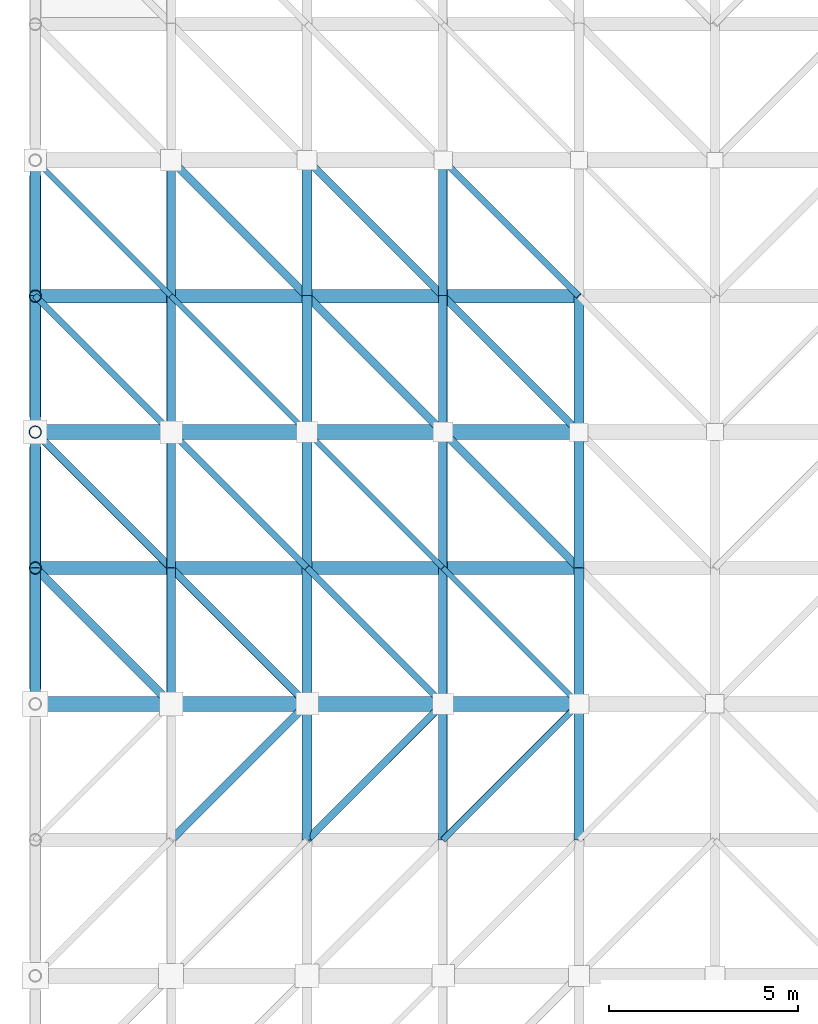
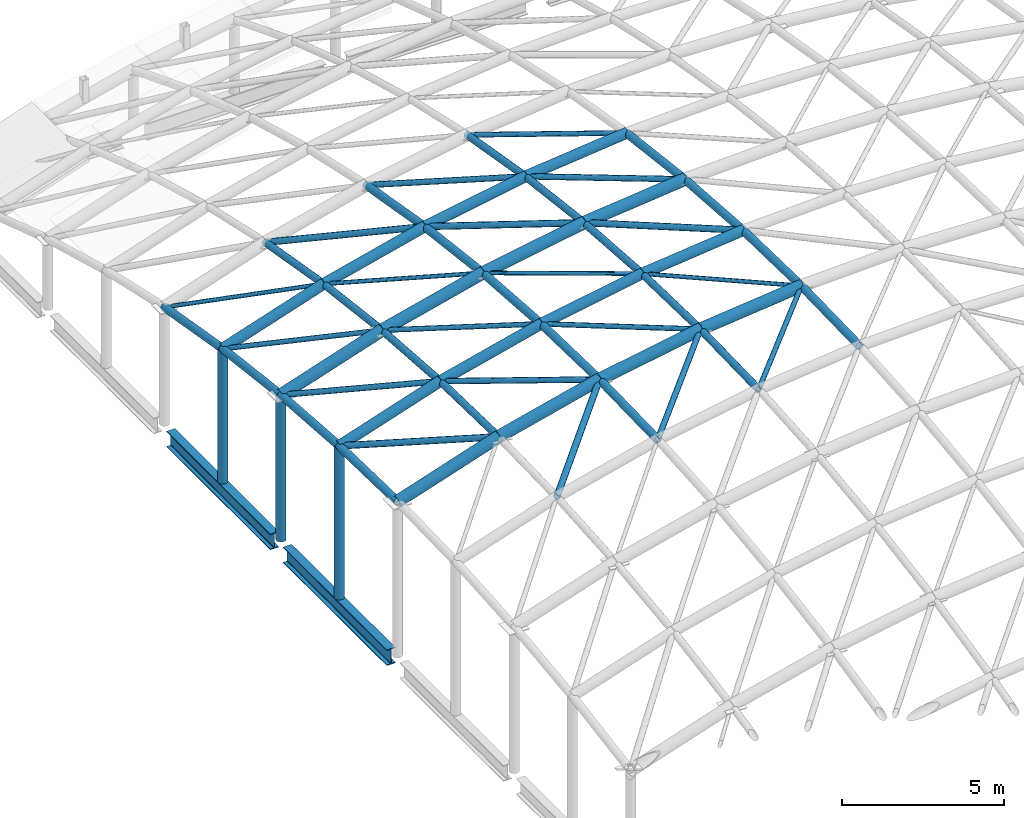
# One storey, part 6 of 40: 60 members, 2 beams.
"""IFC4 building model written with IfcOpenShell, lengths in metres."""

from ifc_helpers import new_model, si_unit, direction, frame, origin, origin_2d, place, context, subcontext, project, spatial, hollow_circle, i_section, extrude, material, material_profile, profile_set, type_object, element, save


model = new_model("IFC4")

# Units and contexts
model_context = context("Model", 3, precision=1e-05, world=origin(), true_north=direction((0.0, 1.0)))
body_context = subcontext(model_context, "Body", "Model", "MODEL_VIEW")
ifc_project = project(units=[si_unit("LENGTHUNIT", "METRE"), si_unit("AREAUNIT", "SQUARE_METRE"), si_unit("VOLUMEUNIT", "CUBIC_METRE"), si_unit("PLANEANGLEUNIT", "RADIAN"), si_unit("MASSUNIT", "GRAM", prefix="KILO")], contexts=[model_context])

# Site, building, storey
site_placement = place(None, origin())
site = spatial("IfcSite", under=ifc_project, at=site_placement, CompositionType="ELEMENT")
building_placement = place(site_placement, origin())
building = spatial("IfcBuilding", under=site, at=building_placement, Name="Kavelor Marine Aquarium", CompositionType="ELEMENT")
storey_placement = place(building_placement, frame((0.0, 0.0, 17.639892578125)))
storey = spatial("IfcBuildingStorey", under=building, at=storey_placement, Name="L04", CompositionType="ELEMENT", Elevation=17.639892578125)

# Beams
ifc_material_1 = material(Name="Steel S355", Category="steel")
ifc_material_profile_1 = material_profile(ifc_material_1, i_section(OverallWidth=0.300048828125, OverallDepth=0.60009765625, WebThickness=0.015380859375, FlangeThickness=0.030029296875, FilletRadius=0.027099609375, at=origin_2d()), Name="HEB 600")
ifc_profile_set_1 = profile_set([ifc_material_profile_1], Name="Steel S355")
beam_type = type_object("IfcBeamType", Name="BM-SB2", PredefinedType="BEAM", material=ifc_profile_set_1)
for number, where, z_axis, x_axis, name in (
    (1, (3.199951171875, 53.60009765625, -0.2998046875), (0.0, 1.0, 0.0), (-1.0, 0.0, 0.0), "bm:y:L04:L04:00_07"),
    (2, (3.199951171875, 60.800048828125, -0.2998046875), (0.0, 1.0, 0.0), (-1.0, 0.0, 0.0), "bm:y:L04:L04:00_08"),
):
    element("IfcBeam", number, at=place(storey_placement, frame(where, z_axis=z_axis, x_axis=x_axis)), inside=storey, type_object=beam_type, Name=name, PredefinedType="BEAM", context=body_context, shape_type="SweptSolid", body=[
        extrude(i_section(OverallWidth=0.300048828125, OverallDepth=0.60009765625, WebThickness=0.015380859375, FlangeThickness=0.030029296875, FilletRadius=0.027099609375, at=origin_2d()), origin(), (0.0, 0.0, 1.0), 6.39990234375),
    ])

# Members
ifc_material_2 = material(Name="Steel S355", Category="steel")
ifc_material_profile_2 = material_profile(ifc_material_2, hollow_circle(Radius=0.109619140625, WallThickness=0.0087890625, at=origin_2d()), Name="CHS 219.1x8.8")
ifc_profile_set_2 = profile_set([ifc_material_profile_2], Name="Steel S355")
member_type_1 = type_object("IfcMemberType", Name="GS-BR1", PredefinedType="BRACE", material=ifc_profile_set_2)
member_1_placement = place(storey_placement, frame((6.800048828125, 53.199951171875, 6.966552734375), z_axis=(-0.686145025307, 0.686145025307, -0.241681626302), x_axis=(-0.707106781187, -0.707106781187, 0.0)))
element("IfcMember", 3, at=member_1_placement, inside=storey, type_object=member_type_1, Name="gs:diag:00_08", PredefinedType="BRACE", context=body_context, shape_type="SweptSolid", body=[
    extrude(hollow_circle(Radius=0.109619140625, WallThickness=0.0087890625, at=origin_2d()), origin(), (0.0, 0.0, 1.0), 5.246826171875),
])
member_2_placement = place(storey_placement, frame((6.800048828125, 49.60009765625, 6.879638671875), z_axis=(0.69419201262, 0.69419201262, 0.190249570905), x_axis=(-0.707106781187, 0.707106781187, 0.0)))
element("IfcMember", 4, at=member_2_placement, inside=storey, type_object=member_type_1, Name="gs:diag:01_07", PredefinedType="BRACE", context=body_context, shape_type="SweptSolid", body=[
    extrude(hollow_circle(Radius=0.109619140625, WallThickness=0.0087890625, at=origin_2d()), origin(), (0.0, 0.0, 1.0), 5.185791015625),
])
member_3_placement = place(storey_placement, frame((10.39990234375, 64.0, 7.080078125), z_axis=(-0.677636847276, 0.677682804336, -0.285577169818), x_axis=(-0.707130757816, -0.707082803744, 0.0)))
element("IfcMember", 5, at=member_3_placement, inside=storey, type_object=member_type_1, Name="gs:diag:01_11", PredefinedType="BRACE", context=body_context, shape_type="SweptSolid", body=[
    extrude(hollow_circle(Radius=0.109619140625, WallThickness=0.0087890625, at=origin_2d()), origin(), (0.0, 0.0, 1.0), 5.312255859375),
])
member_4_placement = place(storey_placement, frame((14.0, 60.39990234375, 8.15087890625), z_axis=(-0.691968034363, 0.691968034363, -0.205816614588), x_axis=(-0.707106781187, -0.707106781187, 0.0)))
element("IfcMember", 6, at=member_4_placement, inside=storey, type_object=member_type_1, Name="gs:diag:02_10", PredefinedType="BRACE", context=body_context, shape_type="SweptSolid", body=[
    extrude(hollow_circle(Radius=0.109619140625, WallThickness=0.0087890625, at=origin_2d()), origin(), (0.0, 0.0, 1.0), 5.20263671875),
])
member_5_placement = place(storey_placement, frame((17.60009765625, 56.800048828125, 8.788330078125), z_axis=(-0.701652222636, 0.70160464009, -0.124238027486), x_axis=(-0.707082803744, -0.707130757816, 0.0)))
element("IfcMember", 7, at=member_5_placement, inside=storey, type_object=member_type_1, Name="gs:diag:03_09", PredefinedType="BRACE", context=body_context, shape_type="SweptSolid", body=[
    extrude(hollow_circle(Radius=0.109619140625, WallThickness=0.0087890625, at=origin_2d()), origin(), (0.0, 0.0, 1.0), 5.130859375),
])
ifc_material_3 = material(Name="Steel S355", Category="steel")
ifc_material_profile_3 = material_profile(ifc_material_3, hollow_circle(Radius=0.096923828125, WallThickness=0.008056640625, at=origin_2d()), Name="CHS 193.7x8.0")
ifc_profile_set_3 = profile_set([ifc_material_profile_3], Name="Steel S355")
member_type_2 = type_object("IfcMemberType", Name="GS-BR2", PredefinedType="BRACE", material=ifc_profile_set_3)
member_6_placement = place(storey_placement, frame((6.800048828125, 56.800048828125, 6.879638671875), z_axis=(-0.680344532518, 0.680298394953, -0.272626871195), x_axis=(-0.707082803744, -0.707130757816, 0.0)))
element("IfcMember", 8, at=member_6_placement, inside=storey, type_object=member_type_2, Name="gs:diag:00_09", PredefinedType="BRACE", context=body_context, shape_type="SweptSolid", body=[
    extrude(hollow_circle(Radius=0.096923828125, WallThickness=0.008056640625, at=origin_2d()), origin(), (0.0, 0.0, 1.0), 5.29150390625),
])
member_7_placement = place(storey_placement, frame((10.39990234375, 53.199951171875, 7.8662109375), z_axis=(-0.694169325075, 0.694216403361, -0.190243353179), x_axis=(-0.707130757816, -0.707082803744, 0.0)))
element("IfcMember", 9, at=member_7_placement, inside=storey, type_object=member_type_2, Name="gs:diag:01_08", PredefinedType="BRACE", context=body_context, shape_type="SweptSolid", body=[
    extrude(hollow_circle(Radius=0.096923828125, WallThickness=0.008056640625, at=origin_2d()), origin(), (0.0, 0.0, 1.0), 5.185791015625),
])
member_8_placement = place(storey_placement, frame((10.39990234375, 49.60009765625, 7.779296875), z_axis=(0.700164247937, 0.700116766298, 0.14002335326), x_axis=(-0.707082803744, 0.707130757816, 0.0)))
element("IfcMember", 10, at=member_8_placement, inside=storey, type_object=member_type_2, Name="gs:diag:02_07", PredefinedType="BRACE", context=body_context, shape_type="SweptSolid", body=[
    extrude(hollow_circle(Radius=0.096923828125, WallThickness=0.008056640625, at=origin_2d()), origin(), (0.0, 0.0, 1.0), 5.141845703125),
])
member_9_placement = place(storey_placement, frame((14.0, 64.0, 7.713134765625), z_axis=(-0.686705031493, 0.686705031493, -0.238479348045), x_axis=(-0.707106781187, -0.707106781187, 0.0)))
element("IfcMember", 11, at=member_9_placement, inside=storey, type_object=member_type_2, Name="gs:diag:02_11", PredefinedType="BRACE", context=body_context, shape_type="SweptSolid", body=[
    extrude(hollow_circle(Radius=0.096923828125, WallThickness=0.008056640625, at=origin_2d()), origin(), (0.0, 0.0, 1.0), 5.24267578125),
])
member_10_placement = place(storey_placement, frame((17.60009765625, 60.39990234375, 8.52685546875), z_axis=(-0.698244964544, 0.698244964544, -0.157822491986), x_axis=(-0.707106781187, -0.707106781187, 0.0)))
element("IfcMember", 12, at=member_10_placement, inside=storey, type_object=member_type_2, Name="gs:diag:03_10", PredefinedType="BRACE", context=body_context, shape_type="SweptSolid", body=[
    extrude(hollow_circle(Radius=0.096923828125, WallThickness=0.008056640625, at=origin_2d()), origin(), (0.0, 0.0, 1.0), 5.156005859375),
])
ifc_material_4 = material(Name="Steel S355", Category="steel")
ifc_material_profile_4 = material_profile(ifc_material_4, hollow_circle(Radius=0.084228515625, WallThickness=0.007080078125, at=origin_2d()), Name="CHS 168.3x7.1")
ifc_profile_set_4 = profile_set([ifc_material_profile_4], Name="Steel S355")
member_type_3 = type_object("IfcMemberType", Name="GS-BR3", PredefinedType="BRACE", material=ifc_profile_set_4)
member_11_placement = place(storey_placement, frame((6.800048828125, 60.39990234375, 6.6181640625), z_axis=(-0.673860988833, 0.673860988833, -0.303022664923), x_axis=(-0.707106781187, -0.707106781187, 0.0)))
element("IfcMember", 13, at=member_11_placement, inside=storey, type_object=member_type_3, Name="gs:diag:00_10", PredefinedType="BRACE", context=body_context, shape_type="SweptSolid", body=[
    extrude(hollow_circle(Radius=0.084228515625, WallThickness=0.007080078125, at=origin_2d()), origin(), (0.0, 0.0, 1.0), 5.342529296875),
])
member_12_placement = place(storey_placement, frame((10.39990234375, 56.800048828125, 7.779296875), z_axis=(-0.689402981739, 0.689402981739, -0.222366943449), x_axis=(-0.707106781187, -0.707106781187, 0.0)))
element("IfcMember", 14, at=member_12_placement, inside=storey, type_object=member_type_3, Name="gs:diag:01_09", PredefinedType="BRACE", context=body_context, shape_type="SweptSolid", body=[
    extrude(hollow_circle(Radius=0.084228515625, WallThickness=0.007080078125, at=origin_2d()), origin(), (0.0, 0.0, 1.0), 5.2216796875),
])
member_13_placement = place(storey_placement, frame((14.0, 53.199951171875, 8.499267578125), z_axis=(-0.700140972965, 0.700140972965, -0.140018698581), x_axis=(-0.707106781187, -0.707106781187, 0.0)))
element("IfcMember", 15, at=member_13_placement, inside=storey, type_object=member_type_3, Name="gs:diag:02_08", PredefinedType="BRACE", context=body_context, shape_type="SweptSolid", body=[
    extrude(hollow_circle(Radius=0.084228515625, WallThickness=0.007080078125, at=origin_2d()), origin(), (0.0, 0.0, 1.0), 5.141845703125),
])
member_14_placement = place(storey_placement, frame((14.0, 49.60009765625, 8.412353515625), z_axis=(0.704225966517, 0.704178209432, 0.090547432017), x_axis=(-0.707082803744, 0.707130757816, 0.0)))
element("IfcMember", 16, at=member_14_placement, inside=storey, type_object=member_type_3, Name="gs:diag:03_07", PredefinedType="BRACE", context=body_context, shape_type="SweptSolid", body=[
    extrude(hollow_circle(Radius=0.084228515625, WallThickness=0.007080078125, at=origin_2d()), origin(), (0.0, 0.0, 1.0), 5.112060546875),
])
member_15_placement = place(storey_placement, frame((17.60009765625, 64.0, 8.089111328125), z_axis=(-0.694019102695, 0.694019102695, -0.191507102188), x_axis=(-0.707106781187, -0.707106781187, 0.0)))
element("IfcMember", 17, at=member_15_placement, inside=storey, type_object=member_type_3, Name="gs:diag:03_11", PredefinedType="BRACE", context=body_context, shape_type="SweptSolid", body=[
    extrude(hollow_circle(Radius=0.084228515625, WallThickness=0.007080078125, at=origin_2d()), origin(), (0.0, 0.0, 1.0), 5.187255859375),
])
ifc_material_5 = material(Name="Steel S355", Category="steel")
ifc_material_profile_5 = material_profile(ifc_material_5, hollow_circle(Radius=0.06982421875, WallThickness=0.00634765625, at=origin_2d()), Name="CHS 139.7x6.3")
ifc_profile_set_5 = profile_set([ifc_material_profile_5], Name="Steel S355")
member_type_4 = type_object("IfcMemberType", Name="GS-BR4", PredefinedType="BRACE", material=ifc_profile_set_5)
member_16_placement = place(storey_placement, frame((6.800048828125, 64.0, 6.180419921875), z_axis=(-0.66672693031, 0.66672693031, -0.333092180632), x_axis=(-0.707106781187, -0.707106781187, 0.0)))
element("IfcMember", 18, at=member_16_placement, inside=storey, type_object=member_type_4, Name="gs:diag:00_11", PredefinedType="BRACE", context=body_context, shape_type="SweptSolid", body=[
    extrude(hollow_circle(Radius=0.06982421875, WallThickness=0.00634765625, at=origin_2d()), origin(), (0.0, 0.0, 1.0), 5.399658203125),
])
member_17_placement = place(storey_placement, frame((10.39990234375, 60.39990234375, 7.517822265625), z_axis=(-0.683880057148, 0.68392643762, -0.25407222469), x_axis=(-0.707130757816, -0.707082803744, 0.0)))
element("IfcMember", 19, at=member_17_placement, inside=storey, type_object=member_type_4, Name="gs:diag:01_10", PredefinedType="BRACE", context=body_context, shape_type="SweptSolid", body=[
    extrude(hollow_circle(Radius=0.06982421875, WallThickness=0.00634765625, at=origin_2d()), origin(), (0.0, 0.0, 1.0), 5.263916015625),
])
member_18_placement = place(storey_placement, frame((14.0, 56.800048828125, 8.412353515625), z_axis=(-0.696461956709, 0.696414726141, -0.173052801396), x_axis=(-0.707082803744, -0.707130757816, 0.0)))
element("IfcMember", 20, at=member_18_placement, inside=storey, type_object=member_type_4, Name="gs:diag:02_09", PredefinedType="BRACE", context=body_context, shape_type="SweptSolid", body=[
    extrude(hollow_circle(Radius=0.06982421875, WallThickness=0.00634765625, at=origin_2d()), origin(), (0.0, 0.0, 1.0), 5.169189453125),
])
member_19_placement = place(storey_placement, frame((17.60009765625, 53.199951171875, 8.875244140625), z_axis=(-0.704202284142, 0.704202284142, -0.090544387002), x_axis=(-0.707106781187, -0.707106781187, 0.0)))
element("IfcMember", 21, at=member_19_placement, inside=storey, type_object=member_type_4, Name="gs:diag:03_08", PredefinedType="BRACE", context=body_context, shape_type="SweptSolid", body=[
    extrude(hollow_circle(Radius=0.06982421875, WallThickness=0.00634765625, at=origin_2d()), origin(), (0.0, 0.0, 1.0), 5.1123046875),
])
ifc_material_6 = material(Name="Steel S355", Category="steel")
ifc_material_profile_6 = material_profile(ifc_material_6, hollow_circle(Radius=0.203125, WallThickness=0.01611328125, at=origin_2d()), Name="CHS 406.4x16.0")
ifc_profile_set_6 = profile_set([ifc_material_profile_6], Name="Steel S355")
member_type_5 = type_object("IfcMemberType", Name="GS-CH1", PredefinedType="CHORD", material=ifc_profile_set_6)
member_20_placement = place(storey_placement, frame((3.199951171875, 53.199951171875, 5.785400390625), z_axis=(0.950167603973, 0.0, 0.311739513632), x_axis=(0.0, 1.0, 0.0)))
element("IfcMember", 22, at=member_20_placement, inside=storey, type_object=member_type_5, Name="gs:arch:00_08", PredefinedType="CHORD", context=body_context, shape_type="SweptSolid", body=[
    extrude(hollow_circle(Radius=0.203125, WallThickness=0.01611328125, at=origin_2d()), origin(), (0.0, 0.0, 1.0), 3.788818359375),
])
member_21_placement = place(storey_placement, frame((6.800048828125, 53.199951171875, 6.966552734375), z_axis=(0.970161848818, 0.0, 0.242458217219), x_axis=(0.0, 1.0, 0.0)))
element("IfcMember", 23, at=member_21_placement, inside=storey, type_object=member_type_5, Name="gs:arch:01_08", PredefinedType="CHORD", context=body_context, shape_type="SweptSolid", body=[
    extrude(hollow_circle(Radius=0.203125, WallThickness=0.01611328125, at=origin_2d()), origin(), (0.0, 0.0, 1.0), 3.71044921875),
])
member_22_placement = place(storey_placement, frame((10.39990234375, 53.199951171875, 7.8662109375), z_axis=(0.984888941579, 0.0, 0.173187103317), x_axis=(0.0, 1.0, 0.0)))
element("IfcMember", 24, at=member_22_placement, inside=storey, type_object=member_type_5, Name="gs:arch:02_08", PredefinedType="CHORD", context=body_context, shape_type="SweptSolid", body=[
    extrude(hollow_circle(Radius=0.203125, WallThickness=0.01611328125, at=origin_2d()), origin(), (0.0, 0.0, 1.0), 3.6552734375),
])
member_23_placement = place(storey_placement, frame((14.0, 53.199951171875, 8.499267578125), z_axis=(0.994590861685, 0.0, 0.103870197138), x_axis=(0.0, 1.0, 0.0)))
element("IfcMember", 25, at=member_23_placement, inside=storey, type_object=member_type_5, Name="gs:arch:03_08", PredefinedType="CHORD", context=body_context, shape_type="SweptSolid", body=[
    extrude(hollow_circle(Radius=0.203125, WallThickness=0.01611328125, at=origin_2d()), origin(), (0.0, 0.0, 1.0), 3.61962890625),
])
member_24_placement = place(storey_placement, frame((3.199951171875, 60.39990234375, 5.43701171875), z_axis=(0.950167603973, 0.0, 0.311739513632), x_axis=(0.0, 1.0, 0.0)))
element("IfcMember", 26, at=member_24_placement, inside=storey, type_object=member_type_5, Name="gs:arch:00_10", PredefinedType="CHORD", context=body_context, shape_type="SweptSolid", body=[
    extrude(hollow_circle(Radius=0.203125, WallThickness=0.01611328125, at=origin_2d()), origin(), (0.0, 0.0, 1.0), 3.788818359375),
])
member_25_placement = place(storey_placement, frame((6.800048828125, 60.39990234375, 6.6181640625), z_axis=(0.970161848818, 0.0, 0.242458217219), x_axis=(0.0, 1.0, 0.0)))
element("IfcMember", 27, at=member_25_placement, inside=storey, type_object=member_type_5, Name="gs:arch:01_10", PredefinedType="CHORD", context=body_context, shape_type="SweptSolid", body=[
    extrude(hollow_circle(Radius=0.203125, WallThickness=0.01611328125, at=origin_2d()), origin(), (0.0, 0.0, 1.0), 3.71044921875),
])
member_26_placement = place(storey_placement, frame((10.39990234375, 60.39990234375, 7.517822265625), z_axis=(0.984888941579, 0.0, 0.173187103317), x_axis=(0.0, 1.0, 0.0)))
element("IfcMember", 28, at=member_26_placement, inside=storey, type_object=member_type_5, Name="gs:arch:02_10", PredefinedType="CHORD", context=body_context, shape_type="SweptSolid", body=[
    extrude(hollow_circle(Radius=0.203125, WallThickness=0.01611328125, at=origin_2d()), origin(), (0.0, 0.0, 1.0), 3.6552734375),
])
member_27_placement = place(storey_placement, frame((14.0, 60.39990234375, 8.15087890625), z_axis=(0.994590861685, 0.0, 0.103870197138), x_axis=(0.0, 1.0, 0.0)))
element("IfcMember", 29, at=member_27_placement, inside=storey, type_object=member_type_5, Name="gs:arch:03_10", PredefinedType="CHORD", context=body_context, shape_type="SweptSolid", body=[
    extrude(hollow_circle(Radius=0.203125, WallThickness=0.01611328125, at=origin_2d()), origin(), (0.0, 0.0, 1.0), 3.61962890625),
])
ifc_material_7 = material(Name="Steel S355", Category="steel")
ifc_material_profile_7 = material_profile(ifc_material_7, hollow_circle(Radius=0.177734375, WallThickness=0.01416015625, at=origin_2d()), Name="CHS 355.6x14.2")
ifc_profile_set_7 = profile_set([ifc_material_profile_7], Name="Steel S355")
member_type_6 = type_object("IfcMemberType", Name="GS-CH2", PredefinedType="CHORD", material=ifc_profile_set_7)
member_28_placement = place(storey_placement, frame((3.199951171875, 56.800048828125, 5.698486328125), z_axis=(0.950167603973, 0.0, 0.311739513632), x_axis=(0.0, 1.0, 0.0)))
element("IfcMember", 30, at=member_28_placement, inside=storey, type_object=member_type_6, Name="gs:arch:00_09", PredefinedType="CHORD", context=body_context, shape_type="SweptSolid", body=[
    extrude(hollow_circle(Radius=0.177734375, WallThickness=0.01416015625, at=origin_2d()), origin(), (0.0, 0.0, 1.0), 3.788818359375),
])
member_29_placement = place(storey_placement, frame((6.800048828125, 56.800048828125, 6.879638671875), z_axis=(0.970161848818, 0.0, 0.242458217219), x_axis=(0.0, 1.0, 0.0)))
element("IfcMember", 31, at=member_29_placement, inside=storey, type_object=member_type_6, Name="gs:arch:01_09", PredefinedType="CHORD", context=body_context, shape_type="SweptSolid", body=[
    extrude(hollow_circle(Radius=0.177734375, WallThickness=0.01416015625, at=origin_2d()), origin(), (0.0, 0.0, 1.0), 3.71044921875),
])
member_30_placement = place(storey_placement, frame((10.39990234375, 56.800048828125, 7.779296875), z_axis=(0.984888941579, 0.0, 0.173187103317), x_axis=(0.0, 1.0, 0.0)))
element("IfcMember", 32, at=member_30_placement, inside=storey, type_object=member_type_6, Name="gs:arch:02_09", PredefinedType="CHORD", context=body_context, shape_type="SweptSolid", body=[
    extrude(hollow_circle(Radius=0.177734375, WallThickness=0.01416015625, at=origin_2d()), origin(), (0.0, 0.0, 1.0), 3.6552734375),
])
member_31_placement = place(storey_placement, frame((14.0, 56.800048828125, 8.412353515625), z_axis=(0.994590861685, 0.0, 0.103870197138), x_axis=(0.0, 1.0, 0.0)))
element("IfcMember", 33, at=member_31_placement, inside=storey, type_object=member_type_6, Name="gs:arch:03_09", PredefinedType="CHORD", context=body_context, shape_type="SweptSolid", body=[
    extrude(hollow_circle(Radius=0.177734375, WallThickness=0.01416015625, at=origin_2d()), origin(), (0.0, 0.0, 1.0), 3.61962890625),
])
member_32_placement = place(storey_placement, frame((3.199951171875, 64.0, 4.999267578125), z_axis=(0.950167603973, 0.0, 0.311739513632), x_axis=(0.0, 1.0, 0.0)))
element("IfcMember", 34, at=member_32_placement, inside=storey, type_object=member_type_6, Name="gs:arch:00_11", PredefinedType="CHORD", context=body_context, shape_type="SweptSolid", body=[
    extrude(hollow_circle(Radius=0.177734375, WallThickness=0.01416015625, at=origin_2d()), origin(), (0.0, 0.0, 1.0), 3.788818359375),
])
member_33_placement = place(storey_placement, frame((6.800048828125, 64.0, 6.180419921875), z_axis=(0.970161848818, 0.0, 0.242458217219), x_axis=(0.0, 1.0, 0.0)))
element("IfcMember", 35, at=member_33_placement, inside=storey, type_object=member_type_6, Name="gs:arch:01_11", PredefinedType="CHORD", context=body_context, shape_type="SweptSolid", body=[
    extrude(hollow_circle(Radius=0.177734375, WallThickness=0.01416015625, at=origin_2d()), origin(), (0.0, 0.0, 1.0), 3.71044921875),
])
member_34_placement = place(storey_placement, frame((10.39990234375, 64.0, 7.080078125), z_axis=(0.984888941579, 0.0, 0.173187103317), x_axis=(0.0, 1.0, 0.0)))
element("IfcMember", 36, at=member_34_placement, inside=storey, type_object=member_type_6, Name="gs:arch:02_11", PredefinedType="CHORD", context=body_context, shape_type="SweptSolid", body=[
    extrude(hollow_circle(Radius=0.177734375, WallThickness=0.01416015625, at=origin_2d()), origin(), (0.0, 0.0, 1.0), 3.6552734375),
])
member_35_placement = place(storey_placement, frame((14.0, 64.0, 7.713134765625), z_axis=(0.994590861685, 0.0, 0.103870197138), x_axis=(0.0, 1.0, 0.0)))
element("IfcMember", 37, at=member_35_placement, inside=storey, type_object=member_type_6, Name="gs:arch:03_11", PredefinedType="CHORD", context=body_context, shape_type="SweptSolid", body=[
    extrude(hollow_circle(Radius=0.177734375, WallThickness=0.01416015625, at=origin_2d()), origin(), (0.0, 0.0, 1.0), 3.61962890625),
])
ifc_material_8 = material(Name="Steel S355", Category="steel")
ifc_material_profile_8 = material_profile(ifc_material_8, hollow_circle(Radius=0.161865234375, WallThickness=0.012451171875, at=origin_2d()), Name="CHS 323.9x12.5")
ifc_profile_set_8 = profile_set([ifc_material_profile_8], Name="Steel S355")
member_type_7 = type_object("IfcMemberType", Name="GS-CH3", PredefinedType="CHORD", material=ifc_profile_set_8)
member_36_placement = place(storey_placement, frame((3.199951171875, 56.800048828125, 0.0), z_axis=(0.0, 0.0, 1.0), x_axis=(1.0, 0.0, 0.0)))
element("IfcMember", 38, at=member_36_placement, inside=storey, type_object=member_type_7, Name="gs:post:x:00_09", PredefinedType="CHORD", context=body_context, shape_type="SweptSolid", body=[
    extrude(hollow_circle(Radius=0.161865234375, WallThickness=0.012451171875, at=origin_2d()), origin(), (0.0, 0.0, 1.0), 5.698486328125),
])
member_37_placement = place(storey_placement, frame((3.199951171875, 60.39990234375, 0.0), z_axis=(0.0, 0.0, 1.0), x_axis=(1.0, 0.0, 0.0)))
element("IfcMember", 39, at=member_37_placement, inside=storey, type_object=member_type_7, Name="gs:post:x:00_10", PredefinedType="CHORD", context=body_context, shape_type="SweptSolid", body=[
    extrude(hollow_circle(Radius=0.161865234375, WallThickness=0.012451171875, at=origin_2d()), origin(), (0.0, 0.0, 1.0), 5.43701171875),
])
member_38_placement = place(storey_placement, frame((3.199951171875, 64.0, 0.0), z_axis=(0.0, 0.0, 1.0), x_axis=(1.0, 0.0, 0.0)))
element("IfcMember", 40, at=member_38_placement, inside=storey, type_object=member_type_7, Name="gs:post:x:00_11", PredefinedType="CHORD", context=body_context, shape_type="SweptSolid", body=[
    extrude(hollow_circle(Radius=0.161865234375, WallThickness=0.012451171875, at=origin_2d()), origin(), (0.0, 0.0, 1.0), 4.999267578125),
])
ifc_material_9 = material(Name="Steel S355", Category="steel")
ifc_material_profile_9 = material_profile(ifc_material_9, hollow_circle(Radius=0.136474609375, WallThickness=0.010009765625, at=origin_2d()), Name="CHS 273.0x10.0")
ifc_profile_set_9 = profile_set([ifc_material_profile_9], Name="Steel S355")
member_type_8 = type_object("IfcMemberType", Name="GS-CH4", PredefinedType="CHORD", material=ifc_profile_set_9)
member_39_placement = place(storey_placement, frame((3.199951171875, 53.199951171875, 5.785400390625), z_axis=(0.0, 0.99970870586, -0.024135107777), x_axis=(-1.0, 0.0, 0.0)))
element("IfcMember", 41, at=member_39_placement, inside=storey, type_object=member_type_8, Name="gs:long:00_08", PredefinedType="CHORD", context=body_context, shape_type="SweptSolid", body=[
    extrude(hollow_circle(Radius=0.136474609375, WallThickness=0.010009765625, at=origin_2d()), origin(), (0.0, 0.0, 1.0), 3.60107421875),
])
member_40_placement = place(storey_placement, frame((3.199951171875, 56.800048828125, 5.698486328125), z_axis=(0.0, 0.997372485682, -0.0724439425), x_axis=(-1.0, 0.0, 0.0)))
element("IfcMember", 42, at=member_40_placement, inside=storey, type_object=member_type_8, Name="gs:long:00_09", PredefinedType="CHORD", context=body_context, shape_type="SweptSolid", body=[
    extrude(hollow_circle(Radius=0.136474609375, WallThickness=0.010009765625, at=origin_2d()), origin(), (0.0, 0.0, 1.0), 3.609375),
])
member_41_placement = place(storey_placement, frame((3.199951171875, 60.39990234375, 5.43701171875), z_axis=(0.0, 0.992688629833, -0.120703289929), x_axis=(-1.0, 0.0, 0.0)))
element("IfcMember", 43, at=member_41_placement, inside=storey, type_object=member_type_8, Name="gs:long:00_10", PredefinedType="CHORD", context=body_context, shape_type="SweptSolid", body=[
    extrude(hollow_circle(Radius=0.136474609375, WallThickness=0.010009765625, at=origin_2d()), origin(), (0.0, 0.0, 1.0), 3.626708984375),
])
member_42_placement = place(storey_placement, frame((3.199951171875, 64.0, 4.999267578125), z_axis=(0.0, 0.98560984902, -0.169036166294), x_axis=(-1.0, 0.0, 0.0)))
element("IfcMember", 44, at=member_42_placement, inside=storey, type_object=member_type_8, Name="gs:long:00_11", PredefinedType="CHORD", context=body_context, shape_type="SweptSolid", body=[
    extrude(hollow_circle(Radius=0.136474609375, WallThickness=0.010009765625, at=origin_2d()), origin(), (0.0, 0.0, 1.0), 3.652587890625),
])
member_43_placement = place(storey_placement, frame((10.39990234375, 49.60009765625, 7.779296875), z_axis=(0.0, 0.999708666365, 0.024136743657), x_axis=(-1.0, 0.0, 0.0)))
element("IfcMember", 45, at=member_43_placement, inside=storey, type_object=member_type_8, Name="gs:long:02_07", PredefinedType="CHORD", context=body_context, shape_type="SweptSolid", body=[
    extrude(hollow_circle(Radius=0.136474609375, WallThickness=0.010009765625, at=origin_2d()), origin(), (0.0, 0.0, 1.0), 3.600830078125),
])
member_44_placement = place(storey_placement, frame((10.39990234375, 53.199951171875, 7.8662109375), z_axis=(0.0, 0.99970870586, -0.024135107777), x_axis=(-1.0, 0.0, 0.0)))
element("IfcMember", 46, at=member_44_placement, inside=storey, type_object=member_type_8, Name="gs:long:02_08", PredefinedType="CHORD", context=body_context, shape_type="SweptSolid", body=[
    extrude(hollow_circle(Radius=0.136474609375, WallThickness=0.010009765625, at=origin_2d()), origin(), (0.0, 0.0, 1.0), 3.60107421875),
])
member_45_placement = place(storey_placement, frame((10.39990234375, 56.800048828125, 7.779296875), z_axis=(0.0, 0.997372485682, -0.0724439425), x_axis=(-1.0, 0.0, 0.0)))
element("IfcMember", 47, at=member_45_placement, inside=storey, type_object=member_type_8, Name="gs:long:02_09", PredefinedType="CHORD", context=body_context, shape_type="SweptSolid", body=[
    extrude(hollow_circle(Radius=0.136474609375, WallThickness=0.010009765625, at=origin_2d()), origin(), (0.0, 0.0, 1.0), 3.609375),
])
member_46_placement = place(storey_placement, frame((10.39990234375, 60.39990234375, 7.517822265625), z_axis=(0.0, 0.992688629833, -0.120703289929), x_axis=(-1.0, 0.0, 0.0)))
element("IfcMember", 48, at=member_46_placement, inside=storey, type_object=member_type_8, Name="gs:long:02_10", PredefinedType="CHORD", context=body_context, shape_type="SweptSolid", body=[
    extrude(hollow_circle(Radius=0.136474609375, WallThickness=0.010009765625, at=origin_2d()), origin(), (0.0, 0.0, 1.0), 3.626708984375),
])
member_47_placement = place(storey_placement, frame((10.39990234375, 64.0, 7.080078125), z_axis=(0.0, 0.985620982654, -0.168971235871), x_axis=(-1.0, 0.0, 0.0)))
element("IfcMember", 49, at=member_47_placement, inside=storey, type_object=member_type_8, Name="gs:long:02_11", PredefinedType="CHORD", context=body_context, shape_type="SweptSolid", body=[
    extrude(hollow_circle(Radius=0.136474609375, WallThickness=0.010009765625, at=origin_2d()), origin(), (0.0, 0.0, 1.0), 3.652587890625),
])
member_48_placement = place(storey_placement, frame((17.60009765625, 49.60009765625, 8.788330078125), z_axis=(0.0, 0.999708666365, 0.024136743657), x_axis=(-1.0, 0.0, 0.0)))
element("IfcMember", 50, at=member_48_placement, inside=storey, type_object=member_type_8, Name="gs:long:04_07", PredefinedType="CHORD", context=body_context, shape_type="SweptSolid", body=[
    extrude(hollow_circle(Radius=0.136474609375, WallThickness=0.010009765625, at=origin_2d()), origin(), (0.0, 0.0, 1.0), 3.600830078125),
])
member_49_placement = place(storey_placement, frame((17.60009765625, 53.199951171875, 8.875244140625), z_axis=(0.0, 0.99970870586, -0.024135107777), x_axis=(-1.0, 0.0, 0.0)))
element("IfcMember", 51, at=member_49_placement, inside=storey, type_object=member_type_8, Name="gs:long:04_08", PredefinedType="CHORD", context=body_context, shape_type="SweptSolid", body=[
    extrude(hollow_circle(Radius=0.136474609375, WallThickness=0.010009765625, at=origin_2d()), origin(), (0.0, 0.0, 1.0), 3.60107421875),
])
member_50_placement = place(storey_placement, frame((17.60009765625, 56.800048828125, 8.788330078125), z_axis=(0.0, 0.997372485682, -0.0724439425), x_axis=(-1.0, 0.0, 0.0)))
element("IfcMember", 52, at=member_50_placement, inside=storey, type_object=member_type_8, Name="gs:long:04_09", PredefinedType="CHORD", context=body_context, shape_type="SweptSolid", body=[
    extrude(hollow_circle(Radius=0.136474609375, WallThickness=0.010009765625, at=origin_2d()), origin(), (0.0, 0.0, 1.0), 3.609375),
])
member_51_placement = place(storey_placement, frame((17.60009765625, 60.39990234375, 8.52685546875), z_axis=(0.0, 0.992688629833, -0.120703289929), x_axis=(-1.0, 0.0, 0.0)))
element("IfcMember", 53, at=member_51_placement, inside=storey, type_object=member_type_8, Name="gs:long:04_10", PredefinedType="CHORD", context=body_context, shape_type="SweptSolid", body=[
    extrude(hollow_circle(Radius=0.136474609375, WallThickness=0.010009765625, at=origin_2d()), origin(), (0.0, 0.0, 1.0), 3.626708984375),
])
ifc_material_10 = material(Name="Steel S355", Category="steel")
ifc_material_profile_10 = material_profile(ifc_material_10, hollow_circle(Radius=0.122314453125, WallThickness=0.010009765625, at=origin_2d()), Name="CHS 244.5x10.0")
ifc_profile_set_10 = profile_set([ifc_material_profile_10], Name="Steel S355")
member_type_9 = type_object("IfcMemberType", Name="GS-CH5", PredefinedType="CHORD", material=ifc_profile_set_10)
member_52_placement = place(storey_placement, frame((6.800048828125, 53.199951171875, 6.966552734375), z_axis=(0.0, 0.99970870586, -0.024135107777), x_axis=(-1.0, 0.0, 0.0)))
element("IfcMember", 54, at=member_52_placement, inside=storey, type_object=member_type_9, Name="gs:long:01_08", PredefinedType="CHORD", context=body_context, shape_type="SweptSolid", body=[
    extrude(hollow_circle(Radius=0.122314453125, WallThickness=0.010009765625, at=origin_2d()), origin(), (0.0, 0.0, 1.0), 3.60107421875),
])
member_53_placement = place(storey_placement, frame((6.800048828125, 56.800048828125, 6.879638671875), z_axis=(0.0, 0.997372485682, -0.0724439425), x_axis=(-1.0, 0.0, 0.0)))
element("IfcMember", 55, at=member_53_placement, inside=storey, type_object=member_type_9, Name="gs:long:01_09", PredefinedType="CHORD", context=body_context, shape_type="SweptSolid", body=[
    extrude(hollow_circle(Radius=0.122314453125, WallThickness=0.010009765625, at=origin_2d()), origin(), (0.0, 0.0, 1.0), 3.609375),
])
member_54_placement = place(storey_placement, frame((6.800048828125, 60.39990234375, 6.6181640625), z_axis=(0.0, 0.992688629833, -0.120703289929), x_axis=(-1.0, 0.0, 0.0)))
element("IfcMember", 56, at=member_54_placement, inside=storey, type_object=member_type_9, Name="gs:long:01_10", PredefinedType="CHORD", context=body_context, shape_type="SweptSolid", body=[
    extrude(hollow_circle(Radius=0.122314453125, WallThickness=0.010009765625, at=origin_2d()), origin(), (0.0, 0.0, 1.0), 3.626708984375),
])
member_55_placement = place(storey_placement, frame((6.800048828125, 64.0, 6.180419921875), z_axis=(0.0, 0.98560984902, -0.169036166294), x_axis=(-1.0, 0.0, 0.0)))
element("IfcMember", 57, at=member_55_placement, inside=storey, type_object=member_type_9, Name="gs:long:01_11", PredefinedType="CHORD", context=body_context, shape_type="SweptSolid", body=[
    extrude(hollow_circle(Radius=0.122314453125, WallThickness=0.010009765625, at=origin_2d()), origin(), (0.0, 0.0, 1.0), 3.652587890625),
])
member_56_placement = place(storey_placement, frame((14.0, 49.60009765625, 8.412353515625), z_axis=(0.0, 0.999708666365, 0.024136743657), x_axis=(-1.0, 0.0, 0.0)))
element("IfcMember", 58, at=member_56_placement, inside=storey, type_object=member_type_9, Name="gs:long:03_07", PredefinedType="CHORD", context=body_context, shape_type="SweptSolid", body=[
    extrude(hollow_circle(Radius=0.122314453125, WallThickness=0.010009765625, at=origin_2d()), origin(), (0.0, 0.0, 1.0), 3.600830078125),
])
member_57_placement = place(storey_placement, frame((14.0, 53.199951171875, 8.499267578125), z_axis=(0.0, 0.99970870586, -0.024135107777), x_axis=(-1.0, 0.0, 0.0)))
element("IfcMember", 59, at=member_57_placement, inside=storey, type_object=member_type_9, Name="gs:long:03_08", PredefinedType="CHORD", context=body_context, shape_type="SweptSolid", body=[
    extrude(hollow_circle(Radius=0.122314453125, WallThickness=0.010009765625, at=origin_2d()), origin(), (0.0, 0.0, 1.0), 3.60107421875),
])
member_58_placement = place(storey_placement, frame((14.0, 56.800048828125, 8.412353515625), z_axis=(0.0, 0.997372485682, -0.0724439425), x_axis=(-1.0, 0.0, 0.0)))
element("IfcMember", 60, at=member_58_placement, inside=storey, type_object=member_type_9, Name="gs:long:03_09", PredefinedType="CHORD", context=body_context, shape_type="SweptSolid", body=[
    extrude(hollow_circle(Radius=0.122314453125, WallThickness=0.010009765625, at=origin_2d()), origin(), (0.0, 0.0, 1.0), 3.609375),
])
member_59_placement = place(storey_placement, frame((14.0, 60.39990234375, 8.15087890625), z_axis=(0.0, 0.992688629833, -0.120703289929), x_axis=(-1.0, 0.0, 0.0)))
element("IfcMember", 61, at=member_59_placement, inside=storey, type_object=member_type_9, Name="gs:long:03_10", PredefinedType="CHORD", context=body_context, shape_type="SweptSolid", body=[
    extrude(hollow_circle(Radius=0.122314453125, WallThickness=0.010009765625, at=origin_2d()), origin(), (0.0, 0.0, 1.0), 3.626708984375),
])
member_60_placement = place(storey_placement, frame((14.0, 64.0, 7.713134765625), z_axis=(0.0, 0.98560984902, -0.169036166294), x_axis=(-1.0, 0.0, 0.0)))
element("IfcMember", 62, at=member_60_placement, inside=storey, type_object=member_type_9, Name="gs:long:03_11", PredefinedType="CHORD", context=body_context, shape_type="SweptSolid", body=[
    extrude(hollow_circle(Radius=0.122314453125, WallThickness=0.010009765625, at=origin_2d()), origin(), (0.0, 0.0, 1.0), 3.652587890625),
])

save(model, "model.ifc")
